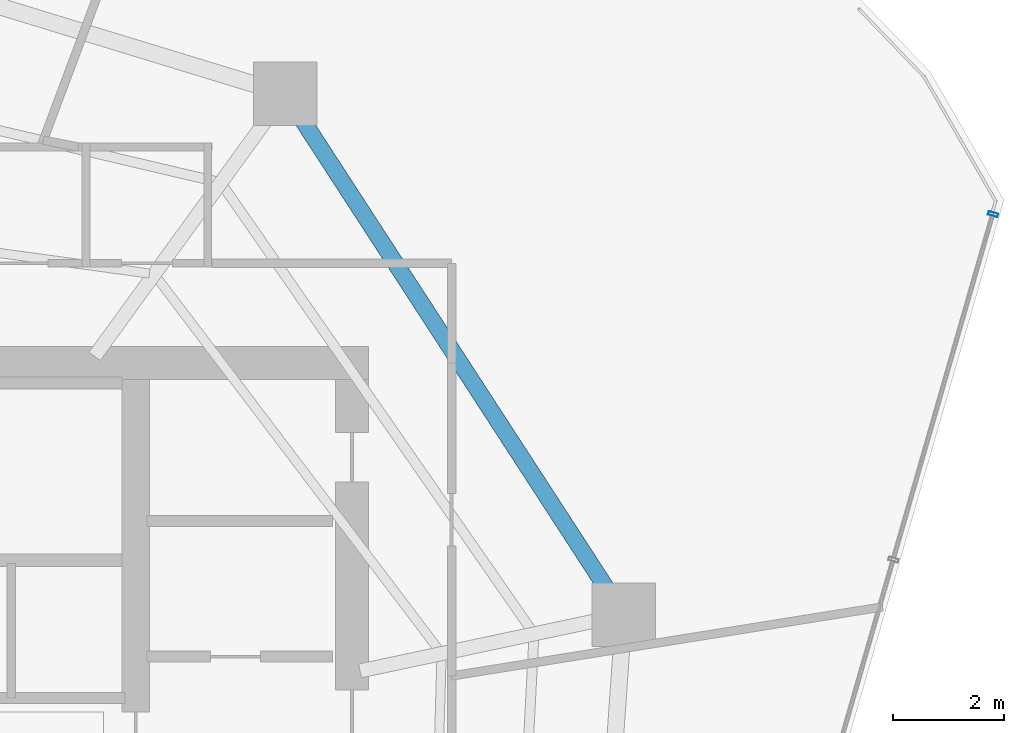
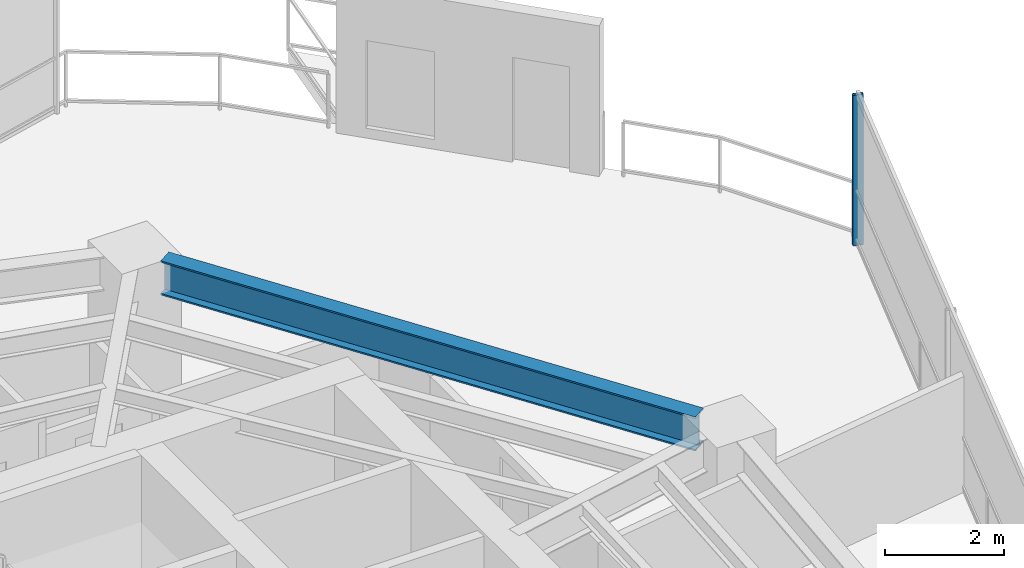
# One storey, part 16 of 23: 1 beam, 1 member, 1 element without a shape of its own.
"""IFC4 building model written with IfcOpenShell, lengths in metres."""

from ifc_helpers import new_model, si_unit, direction, frame, origin, origin_2d, place, context, subcontext, project, spatial, hollow_rectangle, i_section, extrude, material, layer, layer_set, material_profile, profile_set, type_object, element, aggregate, save


model = new_model("IFC4")

# Units and contexts
model_context = context("Model", 3, precision=1e-05, world=origin(), true_north=direction((0.0, 1.0)))
body_context = subcontext(model_context, "Body", "Model", "MODEL_VIEW")
ifc_project = project(units=[si_unit("LENGTHUNIT", "METRE"), si_unit("AREAUNIT", "SQUARE_METRE"), si_unit("VOLUMEUNIT", "CUBIC_METRE"), si_unit("PLANEANGLEUNIT", "RADIAN"), si_unit("MASSUNIT", "GRAM", prefix="KILO")], contexts=[model_context])

# Site, building, storey
site_placement = place(None, origin())
site = spatial("IfcSite", under=ifc_project, at=site_placement, CompositionType="ELEMENT")
building_placement = place(site_placement, origin())
building = spatial("IfcBuilding", under=site, at=building_placement, Name="Qarnah Convention Tower", CompositionType="ELEMENT")
storey_placement = place(building_placement, frame((0.0, 0.0, 117.75)))
storey = spatial("IfcBuildingStorey", under=building, at=storey_placement, Name="L31", CompositionType="ELEMENT", Elevation=117.75)

# Beam
ifc_material_1 = material(Name="Structural steel S355JR", Category="steel")
ifc_material_profile_1 = material_profile(ifc_material_1, i_section(OverallWidth=0.300048828125, OverallDepth=0.699951171875, WebThickness=0.01708984375, FlangeThickness=0.031982421875, at=origin_2d()), Name="HEB700")
ifc_profile_set_1 = profile_set([ifc_material_profile_1], Name="Structural steel S355JR")
beam_type = type_object("IfcBeamType", Name="BM-RING-HEB700", PredefinedType="BEAM", material=ifc_profile_set_1)
beam_placement = place(storey_placement, frame((52.199951171875, 30.1279296875, 2.739990234375), z_axis=(-0.544610528714, 0.838689079465, 0.0), x_axis=(-0.838689079465, -0.544610528714, 0.0)))
element("IfcBeam", 1, at=beam_placement, inside=storey, type_object=beam_type, Name="L31 beam BM-L31-SPN-01", PredefinedType="BEAM", context=body_context, shape_type="SweptSolid", body=[
    extrude(i_section(OverallWidth=0.300048828125, OverallDepth=0.699951171875, WebThickness=0.01708984375, FlangeThickness=0.031982421875, at=origin_2d()), origin(), (0.0, 0.0, 1.0), 10.0859375),
])

# Curtain wall, member
ifc_material_2 = material(Name="Tempered Low-E dark glass", Category="glass")
ifc_layer = layer(ifc_material_2, 0.169921875)
ifc_layer_set = layer_set([ifc_layer], Name="Tempered Low-E dark glass")
curtain_wall_type = type_object("IfcCurtainWallType", Name="CWS-02", PredefinedType="NOTDEFINED", material=ifc_layer_set)
curtain_wall_placement = place(storey_placement, origin())
curtain_wall = element("IfcCurtainWall", 2, at=curtain_wall_placement, inside=storey, type_object=curtain_wall_type, Name="L31 unitised curtain wall CW-L31-F3", PredefinedType="NOTDEFINED")
ifc_material_3 = material(Name="Black anodised aluminium", Category="aluminium")
ifc_material_profile_2 = material_profile(ifc_material_3, hollow_rectangle(XDim=0.06494140625, YDim=0.179931640625, WallThickness=0.00390625, at=origin_2d()), Name="MUL-65X180")
ifc_profile_set_2 = profile_set([ifc_material_profile_2], Name="Black anodised aluminium")
member_type = type_object("IfcMemberType", Name="MUL-T2", PredefinedType="MULLION", material=ifc_profile_set_2)
member_placement = place(storey_placement, frame((59.174072265625, 36.887939453125, 0.0), z_axis=(0.0, 0.0, 1.0), x_axis=(-0.276962624896, -0.960880692079, 0.0)))
member = element("IfcMember", 3, at=member_placement, type_object=member_type, Name="CW-L31-F3 mullion 1", PredefinedType="MULLION", context=body_context, shape_type="SweptSolid", body=[
    extrude(hollow_rectangle(XDim=0.06494140625, YDim=0.179931640625, WallThickness=0.00390625, at=origin_2d()), origin(), (0.0, 0.0, 1.0), 3.090087890625),
])
aggregate(curtain_wall, [member])

save(model, "model.ifc")
